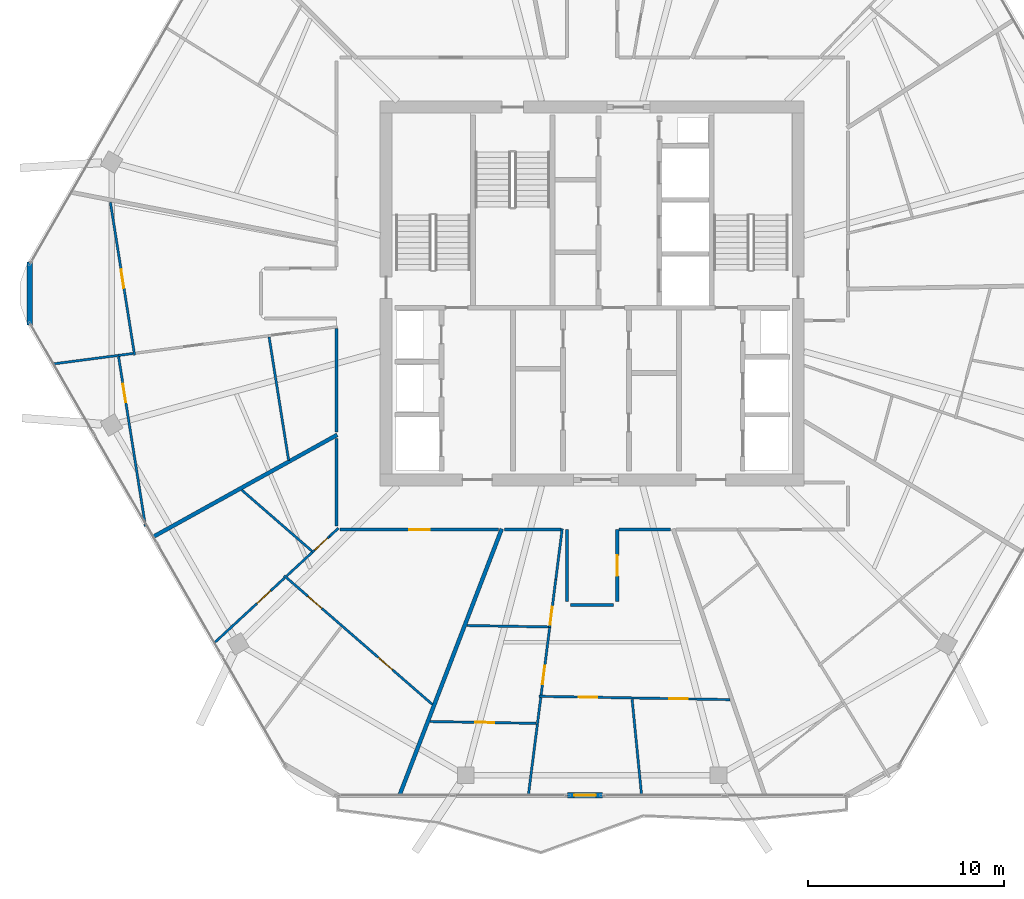
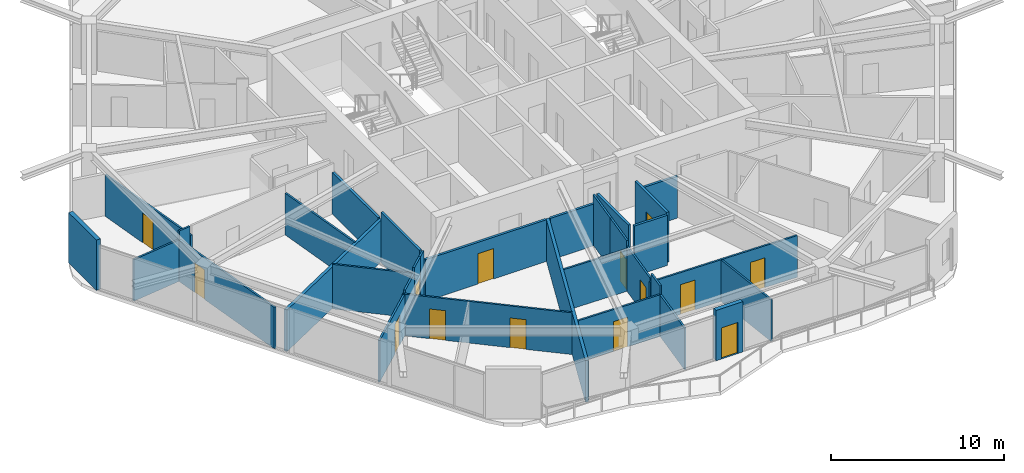
# One storey, part 19 of 26: 32 walls, 14 doors, 14 openings.
"""IFC4 building model written with IfcOpenShell, lengths in metres."""

from ifc_helpers import new_model, si_unit, direction, frame, frame_2d, origin, place, context, subcontext, project, spatial, rectangle, extrude, material, layer, layer_set, type_object, element, fill, save


model = new_model("IFC4")

# Units and contexts
model_context = context("Model", 3, precision=1e-05, world=origin(), true_north=direction((0.0, 1.0)))
body_context = subcontext(model_context, "Body", "Model", "MODEL_VIEW")
ifc_project = project(units=[si_unit("LENGTHUNIT", "METRE"), si_unit("AREAUNIT", "SQUARE_METRE"), si_unit("VOLUMEUNIT", "CUBIC_METRE"), si_unit("PLANEANGLEUNIT", "RADIAN"), si_unit("MASSUNIT", "GRAM", prefix="KILO")], contexts=[model_context])

# Site, building, storey
site_placement = place(None, origin())
site = spatial("IfcSite", under=ifc_project, at=site_placement, CompositionType="ELEMENT")
building_placement = place(site_placement, origin())
building = spatial("IfcBuilding", under=site, at=building_placement, Name="Zuhravey Tower", CompositionType="ELEMENT")
storey_placement = place(building_placement, frame((0.0, 0.0, 288.199951171875)))
storey = spatial("IfcBuildingStorey", under=building, at=storey_placement, Name="L73", CompositionType="ELEMENT", Elevation=288.199951171875)

# Wall, opening, door
ifc_material_1 = material(Name="Gypsum fire-rated stud partition")
ifc_layer_1 = layer(ifc_material_1, 0.159912109375)
ifc_layer_set_1 = layer_set([ifc_layer_1], Name="Gypsum fire-rated stud partition")
wall_type_1 = type_object("IfcWallType", Name="Corridor Fire Partition 160", PredefinedType="PARTITIONING", material=ifc_layer_set_1)
wall_1_placement = place(storey_placement, frame((23.14990234375, 19.969970703125, 0.0), z_axis=(0.0, 0.0, 1.0), x_axis=(1.0, 0.0, 0.0)))
wall_1 = element("IfcWall", 1, at=wall_1_placement, inside=storey, type_object=wall_type_1, Name="L73 IW16 Partition 030", PredefinedType="PARTITIONING", context=body_context, shape_type="SweptSolid", body=[
    extrude(rectangle(XDim=8.08984375, YDim=0.159912109375, at=frame_2d((4.044921875, 0.0))), origin(), (0.0, 0.0, 1.0), 2.949951171875),
])
opening_1_placement = place(wall_1_placement, frame((3.52001953125, 0.0, 0.0)))
opening_1 = element("IfcOpeningElement", 2, at=opening_1_placement, cuts=wall_1, Name="Opening APD1", PredefinedType="OPENING", context=body_context, shape_type="SweptSolid", body=[
    extrude(rectangle(XDim=1.050048828125, YDim=2.14990234375, at=frame_2d((0.52490234375, 1.074951171875))), frame((0.0, 0.092041015625, 0.0), z_axis=(0.0, -1.0, 0.0), x_axis=(1.0, 0.0, 0.0)), (0.0, 0.0, 1.0), 0.183837890625),
])
ifc_material_2 = material(Name="Solid-core oak fire-rated leaf")
door_type_1 = type_object("IfcDoorType", Name="Apartment Entrance Fire Door 1050x2150", OperationType="NOTDEFINED", PredefinedType="DOOR", material=ifc_material_2)
door_1_placement = place(opening_1_placement, frame((1.050048828125, 0.0, 0.0), z_axis=(0.0, 0.0, 1.0), x_axis=(-1.0, 0.0, 0.0)))
door_1 = element("IfcDoor", 3, at=door_1_placement, inside=storey, type_object=door_type_1, Name="L73 Door 030.1", OperationType="SINGLE_SWING_LEFT", OverallHeight=2.14990234375, OverallWidth=1.050048828125, PredefinedType="DOOR", context=body_context, shape_type="SweptSolid", body=[
    extrude(rectangle(XDim=1.050048828125, YDim=2.14990234375, at=frame_2d((0.52490234375, 1.074951171875))), frame((0.0, 0.02490234375, 0.0), z_axis=(0.0, -1.0, 0.0), x_axis=(1.0, 0.0, 0.0)), (0.0, 0.0, 1.0), 0.050048828125),
])
fill(opening_1, door_1)

wall_2_placement = place(storey_placement, frame((37.280029296875, 16.300048828125, 0.0), z_axis=(0.0, 0.0, 1.0), x_axis=(0.0, 1.0, 0.0)))
wall_2 = element("IfcWall", 4, at=wall_2_placement, inside=storey, type_object=wall_type_1, Name="L73 IW16 Partition 036", PredefinedType="PARTITIONING", context=body_context, shape_type="SweptSolid", body=[
    extrude(rectangle(XDim=3.669921875, YDim=0.159912109375, at=frame_2d((1.8349609375, 0.0))), origin(), (0.0, 0.0, 1.0), 3.550048828125),
])
opening_2_placement = place(wall_2_placement, frame((1.31005859375, 0.0, 0.0)))
opening_2 = element("IfcOpeningElement", 5, at=opening_2_placement, cuts=wall_2, Name="Opening APD1", PredefinedType="OPENING", context=body_context, shape_type="SweptSolid", body=[
    extrude(rectangle(XDim=1.050048828125, YDim=2.14990234375, at=frame_2d((0.52490234375, 1.074951171875))), frame((0.0, 0.092041015625, 0.0), z_axis=(0.0, -1.0, 0.0), x_axis=(1.0, 0.0, 0.0)), (0.0, 0.0, 1.0), 0.183837890625),
])
door_2_placement = place(opening_2_placement, frame((1.050048828125, 0.0, 0.0), z_axis=(0.0, 0.0, 1.0), x_axis=(-1.0, 0.0, 0.0)))
door_2 = element("IfcDoor", 6, at=door_2_placement, inside=storey, type_object=door_type_1, Name="L73 Door 036.1", OperationType="SINGLE_SWING_LEFT", OverallHeight=2.14990234375, OverallWidth=1.050048828125, PredefinedType="DOOR", context=body_context, shape_type="SweptSolid", body=[
    extrude(rectangle(XDim=1.050048828125, YDim=2.14990234375, at=frame_2d((0.52490234375, 1.074951171875))), frame((0.0, 0.02490234375, 0.0), z_axis=(0.0, -1.0, 0.0), x_axis=(1.0, 0.0, 0.0)), (0.0, 0.0, 1.0), 0.050048828125),
])
fill(opening_2, door_2)

# Walls
wall_3_placement = place(storey_placement, frame((22.969970703125, 30.22998046875, 0.0), z_axis=(0.0, 0.0, 1.0), x_axis=(0.0, -1.0, 0.0)))
element("IfcWall", 7, at=wall_3_placement, inside=storey, type_object=wall_type_1, Name="L73 IW16 Partition 113", PredefinedType="PARTITIONING", context=body_context, shape_type="SweptSolid", body=[
    extrude(rectangle(XDim=5.281982421875, YDim=0.159912109375, at=frame_2d((2.64111328125, 0.0))), origin(), (0.0, 0.0, 1.0), 2.949951171875),
])
wall_4_placement = place(storey_placement, frame((22.969970703125, 24.60498046875, 0.0), z_axis=(0.0, 0.0, 1.0), x_axis=(0.0, -1.0, 0.0)))
element("IfcWall", 8, at=wall_4_placement, inside=storey, type_object=wall_type_1, Name="L73 IW16 Partition 114", PredefinedType="PARTITIONING", context=body_context, shape_type="SweptSolid", body=[
    extrude(rectangle(XDim=4.455078125, YDim=0.159912109375, at=frame_2d((2.2275390625, 0.0))), origin(), (0.0, 0.0, 1.0), 3.550048828125),
])
wall_5_placement = place(storey_placement, frame((34.719970703125, 19.969970703125, 0.0), z_axis=(0.0, 0.0, 1.0), x_axis=(0.0, -1.0, 0.0)))
element("IfcWall", 9, at=wall_5_placement, inside=storey, type_object=wall_type_1, Name="L73 IW16 Partition 115", PredefinedType="PARTITIONING", context=body_context, shape_type="SweptSolid", body=[
    extrude(rectangle(XDim=3.669921875, YDim=0.159912109375, at=frame_2d((1.8349609375, 0.0))), origin(), (0.0, 0.0, 1.0), 3.550048828125),
])
wall_6_placement = place(storey_placement, frame((37.367919921875, 19.969970703125, 0.0), z_axis=(0.0, 0.0, 1.0), x_axis=(1.0, 0.0, 0.0)))
element("IfcWall", 10, at=wall_6_placement, inside=storey, type_object=wall_type_1, Name="L73 IW16 Partition 116", PredefinedType="PARTITIONING", context=body_context, shape_type="SweptSolid", body=[
    extrude(rectangle(XDim=2.63623046875, YDim=0.159912109375, at=frame_2d((1.318115234375, 0.0))), origin(), (0.0, 0.0, 1.0), 2.949951171875),
])
wall_7_placement = place(storey_placement, frame((34.89990234375, 16.1201171875, 0.0), z_axis=(0.0, 0.0, 1.0), x_axis=(1.0, 0.0, 0.0)))
element("IfcWall", 11, at=wall_7_placement, inside=storey, type_object=wall_type_1, Name="L73 IW16 Partition 117", PredefinedType="PARTITIONING", context=body_context, shape_type="SweptSolid", body=[
    extrude(rectangle(XDim=2.2001953125, YDim=0.159912109375, at=frame_2d((1.10009765625, 0.0))), origin(), (0.0, 0.0, 1.0), 3.550048828125),
])
wall_8_placement = place(storey_placement, frame((31.5234375, 19.969970703125, 0.0), z_axis=(0.0, 0.0, 1.0), x_axis=(1.0, 0.0, 0.0)))
element("IfcWall", 12, at=wall_8_placement, inside=storey, type_object=wall_type_1, Name="L73 IW16 Partition 118", PredefinedType="PARTITIONING", context=body_context, shape_type="SweptSolid", body=[
    extrude(rectangle(XDim=2.8798828125, YDim=0.159912109375, at=frame_2d((1.43994140625, 0.0))), origin(), (0.0, 0.0, 1.0), 2.949951171875),
])

# Wall, opening, door
ifc_material_3 = material(Name="Precast concrete C40/50", Category="concrete")
ifc_layer_2 = layer(ifc_material_3, 0.280029296875)
ifc_layer_set_2 = layer_set([ifc_layer_2], Name="Precast concrete C40/50")
wall_type_2 = type_object("IfcWallType", Name="Crown Architectural Wall 280", PredefinedType="SOLIDWALL", material=ifc_layer_set_2)
wall_9_placement = place(storey_placement, frame((36.53125, 6.436279296875, 0.0), z_axis=(0.0, 0.0, 1.0), x_axis=(-1.0, 0.0, 0.0)))
wall_9 = element("IfcWall", 13, at=wall_9_placement, inside=storey, type_object=wall_type_2, Name="L73 Face 5 Facade Pier EW28-1", PredefinedType="SOLIDWALL", context=body_context, shape_type="SweptSolid", body=[
    extrude(rectangle(XDim=1.7900390625, YDim=0.280029296875, at=frame_2d((0.89501953125, 0.0))), origin(), (0.0, 0.0, 1.0), 3.550048828125),
])
opening_3_placement = place(wall_9_placement, frame((0.344970703125, 0.0, 0.0)))
opening_3 = element("IfcOpeningElement", 14, at=opening_3_placement, cuts=wall_9, Name="Opening BLD1", PredefinedType="OPENING", context=body_context, shape_type="SweptSolid", body=[
    extrude(rectangle(XDim=1.10009765625, YDim=2.199951171875, at=frame_2d((0.550048828125, 1.10009765625))), frame((0.0, 0.152099609375, 0.0), z_axis=(0.0, -1.0, 0.0), x_axis=(1.0, 0.0, 0.0)), (0.0, 0.0, 1.0), 0.303955078125),
])
ifc_material_4 = material(Name="Thermally broken aluminium and low-E glass", Category="aluminium")
door_type_2 = type_object("IfcDoorType", Name="Balcony & Sky-Tray Glazed Door 1100x2200", OperationType="NOTDEFINED", PredefinedType="DOOR", material=ifc_material_4)
door_3_placement = place(opening_3_placement, frame((1.10009765625, 0.0, 0.0), z_axis=(0.0, 0.0, 1.0), x_axis=(-1.0, 0.0, 0.0)))
door_3 = element("IfcDoor", 15, at=door_3_placement, inside=storey, type_object=door_type_2, Name="L73 Face 5 Wave Balcony Door", OperationType="SINGLE_SWING_LEFT", OverallHeight=2.199951171875, OverallWidth=1.10009765625, PredefinedType="DOOR", context=body_context, shape_type="SweptSolid", body=[
    extrude(rectangle(XDim=1.10009765625, YDim=2.199951171875, at=frame_2d((0.550048828125, 1.10009765625))), frame((0.0, 0.02490234375, 0.0), z_axis=(0.0, -1.0, 0.0), x_axis=(1.0, 0.0, 0.0)), (0.0, 0.0, 1.0), 0.050048828125),
])
fill(opening_3, door_3)

# Walls
wall_10_placement = place(storey_placement, frame((7.35498046875, 30.392578125, 0.0), z_axis=(0.0, 0.0, 1.0), x_axis=(0.0, 1.0, 0.0)))
element("IfcWall", 16, at=wall_10_placement, inside=storey, type_object=wall_type_2, Name="L73 Rounded Corner Closure Wall EW28-06", PredefinedType="SOLIDWALL", context=body_context, shape_type="SweptSolid", body=[
    extrude(rectangle(XDim=3.21484375, YDim=0.280029296875, at=frame_2d((1.607421875, 0.0))), origin(), (0.0, 0.0, 1.0), 3.550048828125),
])
ifc_material_5 = material(Name="Gypsum double-stud party assembly")
ifc_layer_3 = layer(ifc_material_5, 0.199951171875)
ifc_layer_set_3 = layer_set([ifc_layer_3], Name="Gypsum double-stud party assembly")
wall_type_3 = type_object("IfcWallType", Name="Inter-Tenancy Party Wall 200", PredefinedType="PARTITIONING", material=ifc_layer_set_3)
wall_11_placement = place(storey_placement, frame((23.010009765625, 24.799560546875, 0.0), z_axis=(0.0, 0.0, 1.0), x_axis=(-0.874612572959, -0.484822490426, 0.0)))
element("IfcWall", 17, at=wall_11_placement, inside=storey, type_object=wall_type_3, Name="L73 IW20 Partition 075", PredefinedType="PARTITIONING", context=body_context, shape_type="SweptSolid", body=[
    extrude(rectangle(XDim=10.71533203125, YDim=0.199951171875, at=frame_2d((5.357666015625, 0.0))), origin(), (0.0, 0.0, 1.0), 2.929931640625),
])
wall_12_placement = place(storey_placement, frame((31.3974609375, 20.010009765625, 0.0), z_axis=(0.0, 0.0, 1.0), x_axis=(-0.358366886744, -0.933580834468, 0.0)))
element("IfcWall", 18, at=wall_12_placement, inside=storey, type_object=wall_type_3, Name="L73 IW20 Partition 079", PredefinedType="PARTITIONING", context=body_context, shape_type="SweptSolid", body=[
    extrude(rectangle(XDim=14.539306640625, YDim=0.199951171875, at=frame_2d((7.26953125, 0.0))), origin(), (0.0, 0.0, 1.0), 2.929931640625),
])

# Wall, opening, door
ifc_material_6 = material(Name="Gypsum metal-stud partition")
ifc_layer_4 = layer(ifc_material_6, 0.1201171875)
ifc_layer_set_4 = layer_set([ifc_layer_4], Name="Gypsum metal-stud partition")
wall_type_4 = type_object("IfcWallType", Name="Unit Internal Partition 120", PredefinedType="PARTITIONING", material=ifc_layer_set_4)
wall_13_placement = place(storey_placement, frame((11.451904296875, 36.6513671875, 0.0), z_axis=(0.0, 0.0, 1.0), x_axis=(0.156434250771, -0.987688374532, 0.0)))
wall_13 = element("IfcWall", 19, at=wall_13_placement, inside=storey, type_object=wall_type_4, Name="L73 IW12 Partition 020", PredefinedType="PARTITIONING", context=body_context, shape_type="SweptSolid", body=[
    extrude(rectangle(XDim=7.893798828125, YDim=0.1201171875, at=frame_2d((3.94677734375, 0.0))), origin(), (0.0, 0.0, 1.0), 2.929931640625),
])
opening_4_placement = place(wall_13_placement, frame((3.471923828125, 0.0, 0.0)))
opening_4 = element("IfcOpeningElement", 20, at=opening_4_placement, cuts=wall_13, Name="Opening IND1", PredefinedType="OPENING", context=body_context, shape_type="SweptSolid", body=[
    extrude(rectangle(XDim=0.949951171875, YDim=2.10009765625, at=frame_2d((0.47509765625, 1.050048828125))), frame((0.0, 0.072021484375, 0.0), z_axis=(0.0, -1.0, 0.0), x_axis=(1.0, 0.0, 0.0)), (0.0, 0.0, 1.0), 0.14404296875),
])
ifc_material_7 = material(Name="Painted engineered timber leaf", Category="wood")
door_type_3 = type_object("IfcDoorType", Name="Internal Room & Bedroom Door 950x2100", OperationType="NOTDEFINED", PredefinedType="DOOR", material=ifc_material_7)
door_4_placement = place(opening_4_placement, frame((0.949951171875, 0.0, 0.0), z_axis=(0.0, 0.0, 1.0), x_axis=(-1.0, 0.0, 0.0)))
door_4 = element("IfcDoor", 21, at=door_4_placement, inside=storey, type_object=door_type_3, Name="Apartment L73-01 Family Study Door", OperationType="SINGLE_SWING_RIGHT", OverallHeight=2.10009765625, OverallWidth=0.949951171875, PredefinedType="DOOR", context=body_context, shape_type="SweptSolid", body=[
    extrude(rectangle(XDim=0.949951171875, YDim=2.10009765625, at=frame_2d((0.47509765625, 1.050048828125))), frame((0.0, 0.02490234375, 0.0), z_axis=(0.0, -1.0, 0.0), x_axis=(1.0, 0.0, 0.0)), (0.0, 0.0, 1.0), 0.050048828125),
])
fill(opening_4, door_4)

# Wall
wall_14_placement = place(storey_placement, frame((12.603759765625, 28.94482421875, 0.0), z_axis=(0.0, 0.0, 1.0), x_axis=(-0.99158987253, -0.129419954782, 0.0)))
element("IfcWall", 22, at=wall_14_placement, inside=storey, type_object=wall_type_4, Name="L73 IW12 Partition 023", PredefinedType="PARTITIONING", context=body_context, shape_type="SweptSolid", body=[
    extrude(rectangle(XDim=0.775390625, YDim=0.1201171875, at=frame_2d((0.3876953125, 0.0))), origin(), (0.0, 0.0, 1.0), 3.550048828125),
])

# Wall, opening, door
wall_15_placement = place(storey_placement, frame((11.870361328125, 28.780517578125, 0.0), z_axis=(0.0, 0.0, 1.0), x_axis=(0.156433742153, -0.987688455089, 0.0)))
wall_15 = element("IfcWall", 23, at=wall_15_placement, inside=storey, type_object=wall_type_4, Name="L73 IW12 Partition 024", PredefinedType="PARTITIONING", context=body_context, shape_type="SweptSolid", body=[
    extrude(rectangle(XDim=8.753662109375, YDim=0.1201171875, at=frame_2d((4.376953125, 0.0))), origin(), (0.0, 0.0, 1.0), 2.929931640625),
])
opening_5_placement = place(wall_15_placement, frame((1.40380859375, 0.0, 0.0)))
opening_5 = element("IfcOpeningElement", 24, at=opening_5_placement, cuts=wall_15, Name="Opening IND1", PredefinedType="OPENING", context=body_context, shape_type="SweptSolid", body=[
    extrude(rectangle(XDim=0.949951171875, YDim=2.10009765625, at=frame_2d((0.47509765625, 1.050048828125))), frame((0.0, 0.072021484375, 0.0), z_axis=(0.0, -1.0, 0.0), x_axis=(1.0, 0.0, 0.0)), (0.0, 0.0, 1.0), 0.14404296875),
])
door_5_placement = place(opening_5_placement, frame((0.949951171875, 0.0, 0.0), z_axis=(0.0, 0.0, 1.0), x_axis=(-1.0, 0.0, 0.0)))
door_5 = element("IfcDoor", 25, at=door_5_placement, inside=storey, type_object=door_type_3, Name="Apartment L73-01 Bedroom 1 Door", OperationType="SINGLE_SWING_LEFT", OverallHeight=2.10009765625, OverallWidth=0.949951171875, PredefinedType="DOOR", context=body_context, shape_type="SweptSolid", body=[
    extrude(rectangle(XDim=0.949951171875, YDim=2.10009765625, at=frame_2d((0.47509765625, 1.050048828125))), frame((0.0, 0.02490234375, 0.0), z_axis=(0.0, -1.0, 0.0), x_axis=(1.0, 0.0, 0.0)), (0.0, 0.0, 1.0), 0.050048828125),
])
fill(opening_5, door_5)

# Wall, openings, doors
wall_16_placement = place(storey_placement, frame((20.30810546875, 17.62548828125, 0.0), z_axis=(0.0, 0.0, 1.0), x_axis=(0.754720551027, -0.656046408311, 0.0)))
wall_16 = element("IfcWall", 26, at=wall_16_placement, inside=storey, type_object=wall_type_4, Name="L73 IW12 Partition 026", PredefinedType="PARTITIONING", context=body_context, shape_type="SweptSolid", body=[
    extrude(rectangle(XDim=10.005615234375, YDim=0.1201171875, at=frame_2d((5.0029296875, 0.0))), origin(), (0.0, 0.0, 1.0), 2.949951171875),
])
opening_6_placement = place(wall_16_placement, frame((1.5966796875, 0.0, 0.0)))
opening_6 = element("IfcOpeningElement", 27, at=opening_6_placement, cuts=wall_16, Name="Opening IND1", PredefinedType="OPENING", context=body_context, shape_type="SweptSolid", body=[
    extrude(rectangle(XDim=0.949951171875, YDim=2.10009765625, at=frame_2d((0.47509765625, 1.050048828125))), frame((0.0, 0.072021484375, 0.0), z_axis=(0.0, -1.0, 0.0), x_axis=(1.0, 0.0, 0.0)), (0.0, 0.0, 1.0), 0.14404296875),
])
opening_7_placement = place(wall_16_placement, frame((6.359619140625, 0.0, 0.0)))
opening_7 = element("IfcOpeningElement", 28, at=opening_7_placement, cuts=wall_16, Name="Opening IND1", PredefinedType="OPENING", context=body_context, shape_type="SweptSolid", body=[
    extrude(rectangle(XDim=0.949951171875, YDim=2.10009765625, at=frame_2d((0.47509765625, 1.050048828125))), frame((0.0, 0.072021484375, 0.0), z_axis=(0.0, -1.0, 0.0), x_axis=(1.0, 0.0, 0.0)), (0.0, 0.0, 1.0), 0.14404296875),
])
door_6_placement = place(opening_6_placement, frame((0.949951171875, 0.0, 0.0), z_axis=(0.0, 0.0, 1.0), x_axis=(-1.0, 0.0, 0.0)))
door_6 = element("IfcDoor", 29, at=door_6_placement, inside=storey, type_object=door_type_3, Name="Apartment L73-02 Family Study Door", OperationType="SINGLE_SWING_LEFT", OverallHeight=2.10009765625, OverallWidth=0.949951171875, PredefinedType="DOOR", context=body_context, shape_type="SweptSolid", body=[
    extrude(rectangle(XDim=0.949951171875, YDim=2.10009765625, at=frame_2d((0.47509765625, 1.050048828125))), frame((0.0, 0.02490234375, 0.0), z_axis=(0.0, -1.0, 0.0), x_axis=(1.0, 0.0, 0.0)), (0.0, 0.0, 1.0), 0.050048828125),
])
fill(opening_6, door_6)
door_7_placement = place(opening_7_placement, frame((0.949951171875, 0.0, 0.0), z_axis=(0.0, 0.0, 1.0), x_axis=(-1.0, 0.0, 0.0)))
door_7 = element("IfcDoor", 30, at=door_7_placement, inside=storey, type_object=door_type_3, Name="Apartment L73-02 Dining Room Door", OperationType="SINGLE_SWING_RIGHT", OverallHeight=2.10009765625, OverallWidth=0.949951171875, PredefinedType="DOOR", context=body_context, shape_type="SweptSolid", body=[
    extrude(rectangle(XDim=0.949951171875, YDim=2.10009765625, at=frame_2d((0.47509765625, 1.050048828125))), frame((0.0, 0.02490234375, 0.0), z_axis=(0.0, -1.0, 0.0), x_axis=(1.0, 0.0, 0.0)), (0.0, 0.0, 1.0), 0.050048828125),
])
fill(opening_7, door_7)

# Wall, opening, door
wall_17_placement = place(storey_placement, frame((22.6162109375, 19.62353515625, 0.0), z_axis=(0.0, 0.0, 1.0), x_axis=(-0.734367339526, -0.678752245401, 0.0)))
wall_17 = element("IfcWall", 31, at=wall_17_placement, inside=storey, type_object=wall_type_4, Name="L73 IW12 Partition 027", PredefinedType="PARTITIONING", context=body_context, shape_type="SweptSolid", body=[
    extrude(rectangle(XDim=1.180908203125, YDim=0.1201171875, at=frame_2d((0.59033203125, 0.0))), origin(), (0.0, 0.0, 1.0), 3.550048828125),
])
opening_8_placement = place(wall_17_placement, frame((0.12646484375, 0.0, 0.0)))
opening_8 = element("IfcOpeningElement", 32, at=opening_8_placement, cuts=wall_17, Name="Opening WCD1", PredefinedType="OPENING", context=body_context, shape_type="SweptSolid", body=[
    extrude(rectangle(XDim=0.89990234375, YDim=2.10009765625, at=frame_2d((0.449951171875, 1.050048828125))), frame((0.0, 0.072021484375, 0.0), z_axis=(0.0, -1.0, 0.0), x_axis=(1.0, 0.0, 0.0)), (0.0, 0.0, 1.0), 0.14404296875),
])
ifc_material_8 = material(Name="Moisture-resistant timber leaf", Category="wood")
door_type_4 = type_object("IfcDoorType", Name="Bathroom & WC Internal Door 900x2100", OperationType="NOTDEFINED", PredefinedType="DOOR", material=ifc_material_8)
door_8_placement = place(opening_8_placement, frame((0.89990234375, 0.0, 0.0), z_axis=(0.0, 0.0, 1.0), x_axis=(-1.0, 0.0, 0.0)))
door_8 = element("IfcDoor", 33, at=door_8_placement, inside=storey, type_object=door_type_4, Name="Apartment L73-02 Bathroom Door", OperationType="SINGLE_SWING_LEFT", OverallHeight=2.10009765625, OverallWidth=0.89990234375, PredefinedType="DOOR", context=body_context, shape_type="SweptSolid", body=[
    extrude(rectangle(XDim=0.89990234375, YDim=2.10009765625, at=frame_2d((0.449951171875, 1.050048828125))), frame((0.0, 0.02490234375, 0.0), z_axis=(0.0, -1.0, 0.0), x_axis=(1.0, 0.0, 0.0)), (0.0, 0.0, 1.0), 0.050048828125),
])
fill(opening_8, door_8)

# Wall
wall_18_placement = place(storey_placement, frame((21.7490234375, 18.822021484375, 0.0), z_axis=(0.0, 0.0, 1.0), x_axis=(-0.734170781852, -0.678964846715, 0.0)))
element("IfcWall", 34, at=wall_18_placement, inside=storey, type_object=wall_type_4, Name="L73 IW12 Partition 028", PredefinedType="PARTITIONING", context=body_context, shape_type="SweptSolid", body=[
    extrude(rectangle(XDim=1.791015625, YDim=0.1201171875, at=frame_2d((0.8955078125, 0.0))), origin(), (0.0, 0.0, 1.0), 3.150146484375),
])

# Wall, opening, door
wall_19_placement = place(storey_placement, frame((20.333740234375, 17.51318359375, 0.0), z_axis=(0.0, 0.0, 1.0), x_axis=(-0.734219813618, -0.678911824386, 0.0)))
wall_19 = element("IfcWall", 35, at=wall_19_placement, inside=storey, type_object=wall_type_4, Name="L73 IW12 Partition 029", PredefinedType="PARTITIONING", context=body_context, shape_type="SweptSolid", body=[
    extrude(rectangle(XDim=4.877685546875, YDim=0.1201171875, at=frame_2d((2.43896484375, 0.0))), origin(), (0.0, 0.0, 1.0), 2.929931640625),
])
opening_9_placement = place(wall_19_placement, frame((0.974853515625, 0.0, 0.0)))
opening_9 = element("IfcOpeningElement", 36, at=opening_9_placement, cuts=wall_19, Name="Opening IND1", PredefinedType="OPENING", context=body_context, shape_type="SweptSolid", body=[
    extrude(rectangle(XDim=0.949951171875, YDim=2.10009765625, at=frame_2d((0.47509765625, 1.050048828125))), frame((0.0, 0.072021484375, 0.0), z_axis=(0.0, -1.0, 0.0), x_axis=(1.0, 0.0, 0.0)), (0.0, 0.0, 1.0), 0.14404296875),
])
door_9_placement = place(opening_9_placement, frame((0.949951171875, 0.0, 0.0), z_axis=(0.0, 0.0, 1.0), x_axis=(-1.0, 0.0, 0.0)))
door_9 = element("IfcDoor", 37, at=door_9_placement, inside=storey, type_object=door_type_3, Name="Apartment L73-02 Bedroom 1 Door", OperationType="SINGLE_SWING_RIGHT", OverallHeight=2.10009765625, OverallWidth=0.949951171875, PredefinedType="DOOR", context=body_context, shape_type="SweptSolid", body=[
    extrude(rectangle(XDim=0.949951171875, YDim=2.10009765625, at=frame_2d((0.47509765625, 1.050048828125))), frame((0.0, 0.02490234375, 0.0), z_axis=(0.0, -1.0, 0.0), x_axis=(1.0, 0.0, 0.0)), (0.0, 0.0, 1.0), 0.050048828125),
])
fill(opening_9, door_9)

# Wall, openings, doors
wall_20_placement = place(storey_placement, frame((33.291748046875, 11.475830078125, 0.0), z_axis=(0.0, 0.0, 1.0), x_axis=(0.999847788191, -0.01744707568, 0.0)))
wall_20 = element("IfcWall", 38, at=wall_20_placement, inside=storey, type_object=wall_type_4, Name="L73 IW12 Partition 031", PredefinedType="PARTITIONING", context=body_context, shape_type="SweptSolid", body=[
    extrude(rectangle(XDim=9.7392578125, YDim=0.1201171875, at=frame_2d((4.86962890625, 0.0))), origin(), (0.0, 0.0, 1.0), 2.949951171875),
])
opening_10_placement = place(wall_20_placement, frame((2.01611328125, 0.0, 0.0)))
opening_10 = element("IfcOpeningElement", 39, at=opening_10_placement, cuts=wall_20, Name="Opening IND1", PredefinedType="OPENING", context=body_context, shape_type="SweptSolid", body=[
    extrude(rectangle(XDim=0.949951171875, YDim=2.10009765625, at=frame_2d((0.47509765625, 1.050048828125))), frame((0.0, 0.072021484375, 0.0), z_axis=(0.0, -1.0, 0.0), x_axis=(1.0, 0.0, 0.0)), (0.0, 0.0, 1.0), 0.14404296875),
])
opening_11_placement = place(wall_20_placement, frame((6.64501953125, 0.0, 0.0)))
opening_11 = element("IfcOpeningElement", 40, at=opening_11_placement, cuts=wall_20, Name="Opening IND1", PredefinedType="OPENING", context=body_context, shape_type="SweptSolid", body=[
    extrude(rectangle(XDim=0.949951171875, YDim=2.10009765625, at=frame_2d((0.47509765625, 1.050048828125))), frame((0.0, 0.072021484375, 0.0), z_axis=(0.0, -1.0, 0.0), x_axis=(1.0, 0.0, 0.0)), (0.0, 0.0, 1.0), 0.14404296875),
])
door_10_placement = place(opening_10_placement, frame((0.949951171875, 0.0, 0.0), z_axis=(0.0, 0.0, 1.0), x_axis=(-1.0, 0.0, 0.0)))
door_10 = element("IfcDoor", 41, at=door_10_placement, inside=storey, type_object=door_type_3, Name="Apartment L73-03 Family Study Door", OperationType="SINGLE_SWING_RIGHT", OverallHeight=2.10009765625, OverallWidth=0.949951171875, PredefinedType="DOOR", context=body_context, shape_type="SweptSolid", body=[
    extrude(rectangle(XDim=0.949951171875, YDim=2.10009765625, at=frame_2d((0.47509765625, 1.050048828125))), frame((0.0, 0.02490234375, 0.0), z_axis=(0.0, -1.0, 0.0), x_axis=(1.0, 0.0, 0.0)), (0.0, 0.0, 1.0), 0.050048828125),
])
fill(opening_10, door_10)
door_11_placement = place(opening_11_placement, frame((0.949951171875, 0.0, 0.0), z_axis=(0.0, 0.0, 1.0), x_axis=(-1.0, 0.0, 0.0)))
door_11 = element("IfcDoor", 42, at=door_11_placement, inside=storey, type_object=door_type_3, Name="Apartment L73-03 Dining Room Door", OperationType="SINGLE_SWING_LEFT", OverallHeight=2.10009765625, OverallWidth=0.949951171875, PredefinedType="DOOR", context=body_context, shape_type="SweptSolid", body=[
    extrude(rectangle(XDim=0.949951171875, YDim=2.10009765625, at=frame_2d((0.47509765625, 1.050048828125))), frame((0.0, 0.02490234375, 0.0), z_axis=(0.0, -1.0, 0.0), x_axis=(1.0, 0.0, 0.0)), (0.0, 0.0, 1.0), 0.050048828125),
])
fill(opening_11, door_11)

# Wall, opening, door
wall_21_placement = place(storey_placement, frame((34.14990234375, 17.437744140625, 0.0), z_axis=(0.0, 0.0, 1.0), x_axis=(-0.125966368588, -0.992034512497, 0.0)))
wall_21 = element("IfcWall", 43, at=wall_21_placement, inside=storey, type_object=wall_type_4, Name="L73 IW12 Partition 032", PredefinedType="PARTITIONING", context=body_context, shape_type="SweptSolid", body=[
    extrude(rectangle(XDim=2.47314453125, YDim=0.1201171875, at=frame_2d((1.236572265625, 0.0))), origin(), (0.0, 0.0, 1.0), 3.550048828125),
])
opening_12_placement = place(wall_21_placement, frame((1.424560546875, 0.0, 0.0)))
opening_12 = element("IfcOpeningElement", 44, at=opening_12_placement, cuts=wall_21, Name="Opening WCD1", PredefinedType="OPENING", context=body_context, shape_type="SweptSolid", body=[
    extrude(rectangle(XDim=0.89990234375, YDim=2.10009765625, at=frame_2d((0.449951171875, 1.050048828125))), frame((0.0, 0.072021484375, 0.0), z_axis=(0.0, -1.0, 0.0), x_axis=(1.0, 0.0, 0.0)), (0.0, 0.0, 1.0), 0.14404296875),
])
door_12_placement = place(opening_12_placement, frame((0.89990234375, 0.0, 0.0), z_axis=(0.0, 0.0, 1.0), x_axis=(-1.0, 0.0, 0.0)))
door_12 = element("IfcDoor", 45, at=door_12_placement, inside=storey, type_object=door_type_4, Name="Apartment L73-03 Bathroom Door", OperationType="SINGLE_SWING_RIGHT", OverallHeight=2.10009765625, OverallWidth=0.89990234375, PredefinedType="DOOR", context=body_context, shape_type="SweptSolid", body=[
    extrude(rectangle(XDim=0.89990234375, YDim=2.10009765625, at=frame_2d((0.449951171875, 1.050048828125))), frame((0.0, 0.02490234375, 0.0), z_axis=(0.0, -1.0, 0.0), x_axis=(1.0, 0.0, 0.0)), (0.0, 0.0, 1.0), 0.050048828125),
])
fill(opening_12, door_12)

wall_22_placement = place(storey_placement, frame((33.83837890625, 14.984375, 0.0), z_axis=(0.0, 0.0, 1.0), x_axis=(-0.126008805625, -0.992029123012, 0.0)))
wall_22 = element("IfcWall", 46, at=wall_22_placement, inside=storey, type_object=wall_type_4, Name="L73 IW12 Partition 033", PredefinedType="PARTITIONING", context=body_context, shape_type="SweptSolid", body=[
    extrude(rectangle(XDim=3.469970703125, YDim=0.1201171875, at=frame_2d((1.73486328125, 0.0))), origin(), (0.0, 0.0, 1.0), 3.150146484375),
])
opening_13_placement = place(wall_22_placement, frame((1.976318359375, 0.0, 0.0)))
opening_13 = element("IfcOpeningElement", 47, at=opening_13_placement, cuts=wall_22, Name="Opening IND1", PredefinedType="OPENING", context=body_context, shape_type="SweptSolid", body=[
    extrude(rectangle(XDim=0.949951171875, YDim=2.10009765625, at=frame_2d((0.47509765625, 1.050048828125))), frame((0.0, 0.072021484375, 0.0), z_axis=(0.0, -1.0, 0.0), x_axis=(1.0, 0.0, 0.0)), (0.0, 0.0, 1.0), 0.14404296875),
])
door_13_placement = place(opening_13_placement, frame((0.949951171875, 0.0, 0.0), z_axis=(0.0, 0.0, 1.0), x_axis=(-1.0, 0.0, 0.0)))
door_13 = element("IfcDoor", 48, at=door_13_placement, inside=storey, type_object=door_type_3, Name="Apartment L73-03 Home Office Door", OperationType="SINGLE_SWING_LEFT", OverallHeight=2.10009765625, OverallWidth=0.949951171875, PredefinedType="DOOR", context=body_context, shape_type="SweptSolid", body=[
    extrude(rectangle(XDim=0.949951171875, YDim=2.10009765625, at=frame_2d((0.47509765625, 1.050048828125))), frame((0.0, 0.02490234375, 0.0), z_axis=(0.0, -1.0, 0.0), x_axis=(1.0, 0.0, 0.0)), (0.0, 0.0, 1.0), 0.050048828125),
])
fill(opening_13, door_13)

# Wall
wall_23_placement = place(storey_placement, frame((33.3837890625, 11.40625, 0.0), z_axis=(0.0, 0.0, 1.0), x_axis=(-0.126066042506, -0.992021851033, 0.0)))
element("IfcWall", 49, at=wall_23_placement, inside=storey, type_object=wall_type_4, Name="L73 IW12 Partition 034", PredefinedType="PARTITIONING", context=body_context, shape_type="SweptSolid", body=[
    extrude(rectangle(XDim=1.345947265625, YDim=0.1201171875, at=frame_2d((0.6728515625, 0.0))), origin(), (0.0, 0.0, 1.0), 3.550048828125),
])

# Wall, opening, door
wall_24_placement = place(storey_placement, frame((27.739501953125, 10.191650390625, 0.0), z_axis=(0.0, 0.0, 1.0), x_axis=(0.999847499712, -0.017463599873, 0.0)))
wall_24 = element("IfcWall", 50, at=wall_24_placement, inside=storey, type_object=wall_type_4, Name="L73 IW12 Partition 035", PredefinedType="PARTITIONING", context=body_context, shape_type="SweptSolid", body=[
    extrude(rectangle(XDim=5.41015625, YDim=0.1201171875, at=frame_2d((2.705078125, 0.0))), origin(), (0.0, 0.0, 1.0), 2.949951171875),
])
opening_14_placement = place(wall_24_placement, frame((2.314697265625, 0.0, 0.0)))
opening_14 = element("IfcOpeningElement", 51, at=opening_14_placement, cuts=wall_24, Name="Opening IND1", PredefinedType="OPENING", context=body_context, shape_type="SweptSolid", body=[
    extrude(rectangle(XDim=0.949951171875, YDim=2.10009765625, at=frame_2d((0.47509765625, 1.050048828125))), frame((0.0, 0.072021484375, 0.0), z_axis=(0.0, -1.0, 0.0), x_axis=(1.0, 0.0, 0.0)), (0.0, 0.0, 1.0), 0.14404296875),
])
door_14_placement = place(opening_14_placement, frame((0.949951171875, 0.0, 0.0), z_axis=(0.0, 0.0, 1.0), x_axis=(-1.0, 0.0, 0.0)))
door_14 = element("IfcDoor", 52, at=door_14_placement, inside=storey, type_object=door_type_3, Name="Apartment L73-03 Bedroom 1 Door", OperationType="SINGLE_SWING_RIGHT", OverallHeight=2.10009765625, OverallWidth=0.949951171875, PredefinedType="DOOR", context=body_context, shape_type="SweptSolid", body=[
    extrude(rectangle(XDim=0.949951171875, YDim=2.10009765625, at=frame_2d((0.47509765625, 1.050048828125))), frame((0.0, 0.02490234375, 0.0), z_axis=(0.0, -1.0, 0.0), x_axis=(1.0, 0.0, 0.0)), (0.0, 0.0, 1.0), 0.050048828125),
])
fill(opening_14, door_14)

# Walls
wall_25_placement = place(storey_placement, frame((11.8349609375, 28.84423828125, 0.0), z_axis=(0.0, 0.0, 1.0), x_axis=(-0.991583154188, -0.129471418974, 0.0)))
element("IfcWall", 53, at=wall_25_placement, inside=storey, type_object=wall_type_4, Name="L73 IW12 Partition 073", PredefinedType="PARTITIONING", context=body_context, shape_type="SweptSolid", body=[
    extrude(rectangle(XDim=3.31494140625, YDim=0.1201171875, at=frame_2d((1.657470703125, 0.0))), origin(), (0.0, 0.0, 1.0), 2.929931640625),
])
wall_26_placement = place(storey_placement, frame((19.54052734375, 29.781982421875, 0.0), z_axis=(0.0, 0.0, 1.0), x_axis=(0.156450653455, -0.987685776466, 0.0)))
element("IfcWall", 54, at=wall_26_placement, inside=storey, type_object=wall_type_4, Name="L73 IW12 Partition 074", PredefinedType="PARTITIONING", context=body_context, shape_type="SweptSolid", body=[
    extrude(rectangle(XDim=6.369873046875, YDim=0.1201171875, at=frame_2d((3.18505859375, 0.0))), origin(), (0.0, 0.0, 1.0), 2.949951171875),
])
wall_27_placement = place(storey_placement, frame((23.068603515625, 20.0419921875, 0.0), z_axis=(0.0, 0.0, 1.0), x_axis=(-0.73410437669, -0.67903664417, 0.0)))
element("IfcWall", 55, at=wall_27_placement, inside=storey, type_object=wall_type_4, Name="L73 IW12 Partition 077", PredefinedType="PARTITIONING", context=body_context, shape_type="SweptSolid", body=[
    extrude(rectangle(XDim=0.6162109375, YDim=0.1201171875, at=frame_2d((0.30810546875, 0.0))), origin(), (0.0, 0.0, 1.0), 3.550048828125),
])
wall_28_placement = place(storey_placement, frame((18.151123046875, 21.982666015625, 0.0), z_axis=(0.0, 0.0, 1.0), x_axis=(0.754743487658, -0.656020020912, 0.0)))
element("IfcWall", 56, at=wall_28_placement, inside=storey, type_object=wall_type_4, Name="L73 IW12 Partition 078", PredefinedType="PARTITIONING", context=body_context, shape_type="SweptSolid", body=[
    extrude(rectangle(XDim=4.723388671875, YDim=0.1201171875, at=frame_2d((2.36181640625, 0.0))), origin(), (0.0, 0.0, 1.0), 3.150146484375),
])
wall_29_placement = place(storey_placement, frame((38.0380859375, 11.3251953125, 0.0), z_axis=(0.0, 0.0, 1.0), x_axis=(0.098099997669, -0.995176562454, 0.0)))
element("IfcWall", 57, at=wall_29_placement, inside=storey, type_object=wall_type_4, Name="L73 IW12 Partition 080", PredefinedType="PARTITIONING", context=body_context, shape_type="SweptSolid", body=[
    extrude(rectangle(XDim=4.942626953125, YDim=0.1201171875, at=frame_2d((2.47119140625, 0.0))), origin(), (0.0, 0.0, 1.0), 2.929931640625),
])
wall_30_placement = place(storey_placement, frame((34.477294921875, 20.014892578125, 0.0), z_axis=(0.0, 0.0, 1.0), x_axis=(-0.126023918114, -0.992027203288, 0.0)))
element("IfcWall", 58, at=wall_30_placement, inside=storey, type_object=wall_type_4, Name="L73 IW12 Partition 081", PredefinedType="PARTITIONING", context=body_context, shape_type="SweptSolid", body=[
    extrude(rectangle(XDim=2.597900390625, YDim=0.1201171875, at=frame_2d((1.298828125, 0.0))), origin(), (0.0, 0.0, 1.0), 3.550048828125),
])
wall_31_placement = place(storey_placement, frame((33.214111328125, 10.071044921875, 0.0), z_axis=(0.0, 0.0, 1.0), x_axis=(-0.126032826636, -0.992026071537, 0.0)))
element("IfcWall", 59, at=wall_31_placement, inside=storey, type_object=wall_type_4, Name="L73 IW12 Partition 082", PredefinedType="PARTITIONING", context=body_context, shape_type="SweptSolid", body=[
    extrude(rectangle(XDim=3.6689453125, YDim=0.1201171875, at=frame_2d((1.83447265625, 0.0))), origin(), (0.0, 0.0, 1.0), 2.929931640625),
])
wall_32_placement = place(storey_placement, frame((29.621826171875, 15.0830078125, 0.0), z_axis=(0.0, 0.0, 1.0), x_axis=(0.999847495958, -0.017463814767, 0.0)))
element("IfcWall", 60, at=wall_32_placement, inside=storey, type_object=wall_type_4, Name="L73 IW12 Partition 083", PredefinedType="PARTITIONING", context=body_context, shape_type="SweptSolid", body=[
    extrude(rectangle(XDim=4.152099609375, YDim=0.1201171875, at=frame_2d((2.076171875, 0.0))), origin(), (0.0, 0.0, 1.0), 2.949951171875),
])

save(model, "model.ifc")
